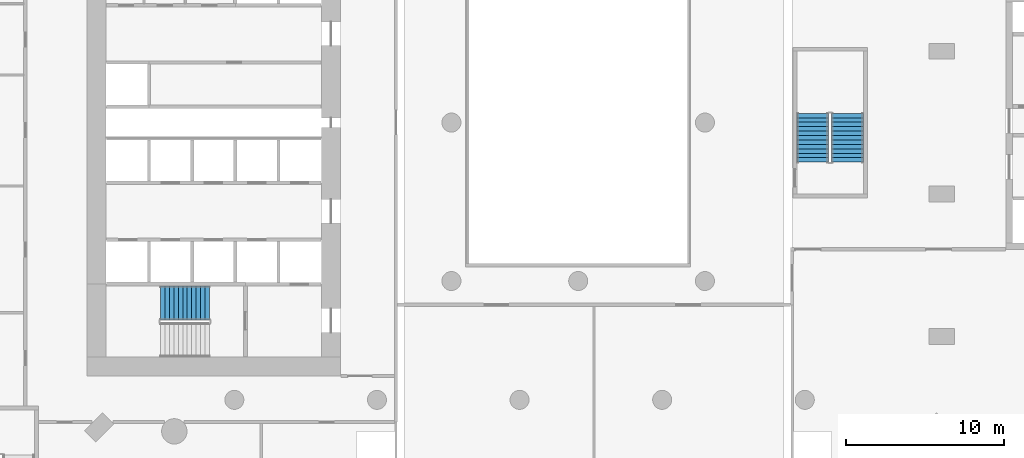
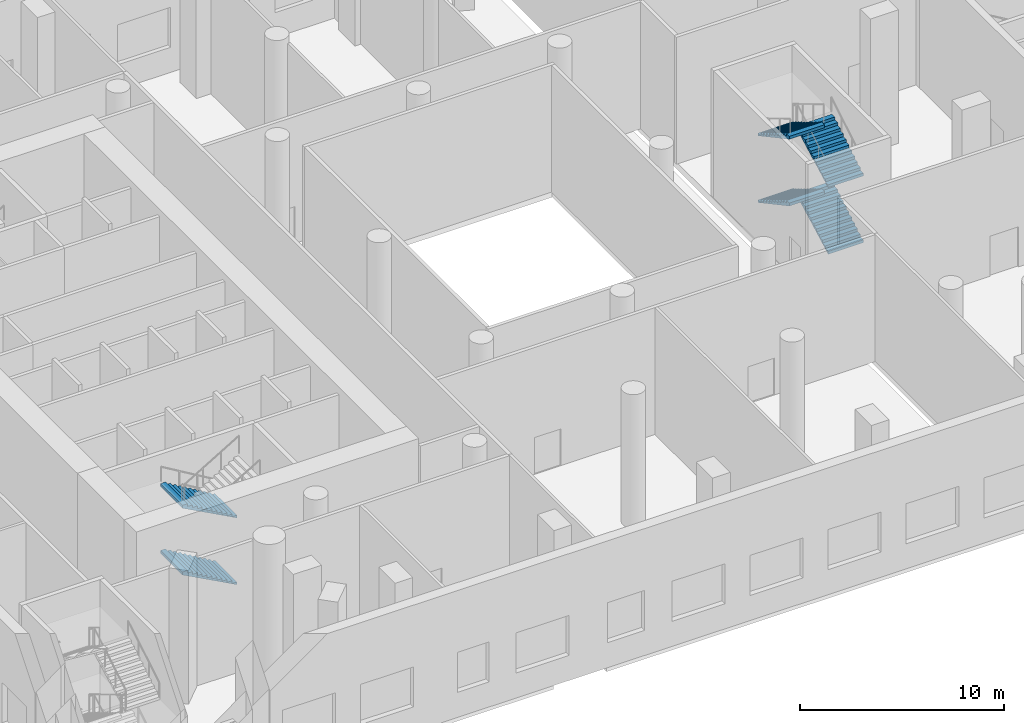
# One storey, part 11 of 18: 6 stair flights, 2 elements without a shape of their own.
"""IFC4 building model written with IfcOpenShell, lengths in metres."""

from ifc_helpers import new_model, si_unit, direction, frame, origin, place, context, subcontext, project, spatial, triangles, material, type_object, element, aggregate, save


model = new_model("IFC4")

# Units and contexts
model_context = context("Model", 3, precision=1e-05, world=origin(), true_north=direction((0.0, 1.0)))
body_context = subcontext(model_context, "Body", "Model", "MODEL_VIEW")
ifc_project = project(units=[si_unit("LENGTHUNIT", "METRE"), si_unit("AREAUNIT", "SQUARE_METRE"), si_unit("VOLUMEUNIT", "CUBIC_METRE"), si_unit("PLANEANGLEUNIT", "RADIAN"), si_unit("MASSUNIT", "GRAM", prefix="KILO")], contexts=[model_context])

# Site, building, storey
site_placement = place(None, origin())
site = spatial("IfcSite", under=ifc_project, at=site_placement, CompositionType="ELEMENT")
building_placement = place(site_placement, origin())
building = spatial("IfcBuilding", under=site, at=building_placement, Name="Cypress Arch Tower", CompositionType="ELEMENT")
storey_placement = place(building_placement, frame((0.0, 0.0, 36.0)))
storey = spatial("IfcBuildingStorey", under=building, at=storey_placement, Name="L04", CompositionType="ELEMENT", Elevation=36.0)

# Stair, stair flights
ifc_material_1 = material(Name="Concrete C40/50", Category="concrete")
stair_type_1 = type_object("IfcStairType", Name="Exit stair ES1667-200", PredefinedType="HALF_TURN_STAIR", material=ifc_material_1)
stair_1_placement = place(storey_placement, origin())
stair_1 = element("IfcStair", 1, at=stair_1_placement, inside=storey, type_object=stair_type_1, Name="L04 Exit stair C", PredefinedType="HALF_TURN_STAIR")
ifc_material_2 = material(Name="Concrete C40/50", Category="concrete")
stair_flight_type_1 = type_object("IfcStairFlightType", Name="Exit stair flight ES1667-200", PredefinedType="STRAIGHT", material=ifc_material_2)
stair_flight_1_placement = place(storey_placement, frame((18.0, -2.5, 0.0), z_axis=(0.0, 0.0, 1.0), x_axis=(0.0, 1.0, 0.0)))
stair_flight_1 = element("IfcStairFlight", 2, at=stair_flight_1_placement, type_object=stair_flight_type_1, Name="C flight 1", NumberOfRisers=12, NumberOfTreads=11, PredefinedType="STRAIGHT", RiserHeight=0.166666667, TreadLength=0.28, context=body_context, shape_type="Tessellation", body=[
    triangles([(0.0, -1.0, 0.0), (0.0, -1.0, 0.166748046875), (0.280029296875, -1.0, 0.166748046875), (0.280029296875, -1.0, 0.333251953125), (0.56005859375, -1.0, 0.333251953125), (0.56005859375, -1.0, 0.5), (0.840087890625, -1.0, 0.5), (0.840087890625, -1.0, 0.666748046875), (1.1201171875, -1.0, 0.666748046875), (1.1201171875, -1.0, 0.833251953125), (1.39990234375, -1.0, 0.833251953125), (1.39990234375, -1.0, 1.0), (1.679931640625, -1.0, 1.0), (1.679931640625, -1.0, 1.166748046875), (1.9599609375, -1.0, 1.166748046875), (1.9599609375, -1.0, 1.333251953125), (2.239990234375, -1.0, 1.333251953125), (2.239990234375, -1.0, 1.5), (2.52001953125, -1.0, 1.5), (2.52001953125, -1.0, 1.666748046875), (2.800048828125, -1.0, 1.666748046875), (2.800048828125, -1.0, 1.833251953125), (3.080078125, -1.0, 1.833251953125), (3.080078125, -1.0, 1.658935546875), (3.080078125, 1.0, 1.658935546875), (3.080078125, 1.0, 1.833251953125), (2.800048828125, 1.0, 1.833251953125), (2.800048828125, 1.0, 1.666748046875), (2.52001953125, 1.0, 1.666748046875), (2.52001953125, 1.0, 1.5), (2.239990234375, 1.0, 1.5), (2.239990234375, 1.0, 1.333251953125), (1.9599609375, 1.0, 1.333251953125), (1.9599609375, 1.0, 1.166748046875), (1.679931640625, 1.0, 1.166748046875), (1.679931640625, 1.0, 1.0), (1.39990234375, 1.0, 1.0), (1.39990234375, 1.0, 0.833251953125), (1.1201171875, 1.0, 0.833251953125), (1.1201171875, 1.0, 0.666748046875), (0.840087890625, 1.0, 0.666748046875), (0.840087890625, 1.0, 0.5), (0.56005859375, 1.0, 0.5), (0.56005859375, 1.0, 0.333251953125), (0.280029296875, 1.0, 0.333251953125), (0.280029296875, 1.0, 0.166748046875), (0.0, 1.0, 0.166748046875), (0.0, 1.0, 0.0), (3.080078125, 0.0, 1.833251953125), (3.080078125, 0.0, 1.658935546875), (2.800048828125, 0.0, 1.833251953125), (2.800048828125, 0.0, 1.666748046875), (2.52001953125, 0.0, 1.666748046875), (2.52001953125, 0.0, 1.5), (2.239990234375, 0.0, 1.5), (2.239990234375, 0.0, 1.333251953125), (1.9599609375, 0.0, 1.333251953125), (1.9599609375, 0.0, 1.166748046875), (1.679931640625, 0.0, 1.166748046875), (1.679931640625, 0.0, 1.0), (1.39990234375, 0.0, 1.0), (1.39990234375, 0.0, 0.833251953125), (1.1201171875, 0.0, 0.833251953125), (1.1201171875, 0.0, 0.666748046875), (0.840087890625, 0.0, 0.666748046875), (0.840087890625, 0.0, 0.5), (0.56005859375, 0.0, 0.5), (0.56005859375, 0.0, 0.333251953125), (0.280029296875, 0.0, 0.333251953125), (0.280029296875, 0.0, 0.166748046875), (0.0, 0.0, 0.166748046875), (0.0, 0.0, 0.0)], [[24, 23, 22], [21, 20, 19], [19, 18, 17], [15, 14, 13], [13, 12, 11], [9, 8, 7], [7, 6, 5], [3, 2, 1], [11, 10, 9], [17, 16, 15], [5, 4, 3], [24, 22, 21], [24, 21, 19], [24, 19, 17], [24, 17, 15], [24, 15, 13], [24, 13, 11], [24, 11, 9], [24, 9, 7], [24, 7, 5], [1, 24, 5], [5, 3, 1], [25, 27, 26], [28, 30, 29], [30, 32, 31], [34, 36, 35], [36, 38, 37], [40, 42, 41], [42, 44, 43], [46, 48, 47], [38, 40, 39], [32, 34, 33], [44, 46, 45], [25, 28, 27], [25, 30, 28], [25, 32, 30], [25, 34, 32], [25, 36, 34], [25, 38, 36], [25, 40, 38], [25, 42, 40], [25, 44, 42], [48, 44, 25], [44, 48, 46], [50, 49, 23], [50, 23, 24], [25, 26, 49], [25, 49, 50], [49, 51, 22], [49, 22, 23], [26, 27, 51], [26, 51, 49], [51, 52, 21], [51, 21, 22], [27, 28, 52], [27, 52, 51], [52, 53, 20], [52, 20, 21], [28, 29, 53], [28, 53, 52], [53, 54, 19], [53, 19, 20], [29, 30, 54], [29, 54, 53], [54, 55, 18], [54, 18, 19], [30, 31, 55], [30, 55, 54], [55, 56, 17], [55, 17, 18], [31, 32, 56], [31, 56, 55], [56, 57, 16], [56, 16, 17], [32, 33, 57], [32, 57, 56], [57, 58, 15], [57, 15, 16], [33, 34, 58], [33, 58, 57], [58, 59, 14], [58, 14, 15], [34, 35, 59], [34, 59, 58], [59, 60, 13], [59, 13, 14], [35, 36, 60], [35, 60, 59], [60, 61, 12], [60, 12, 13], [36, 37, 61], [36, 61, 60], [61, 62, 11], [61, 11, 12], [37, 38, 62], [37, 62, 61], [62, 63, 10], [62, 10, 11], [38, 39, 63], [38, 63, 62], [63, 64, 9], [63, 9, 10], [39, 40, 64], [39, 64, 63], [64, 65, 8], [64, 8, 9], [40, 41, 65], [40, 65, 64], [65, 66, 7], [65, 7, 8], [41, 42, 66], [41, 66, 65], [66, 67, 6], [66, 6, 7], [42, 43, 67], [42, 67, 66], [67, 68, 5], [67, 5, 6], [43, 44, 68], [43, 68, 67], [68, 69, 4], [68, 4, 5], [44, 45, 69], [44, 69, 68], [69, 70, 3], [69, 3, 4], [45, 46, 70], [45, 70, 69], [70, 71, 2], [70, 2, 3], [46, 47, 71], [46, 71, 70], [71, 72, 1], [71, 1, 2], [47, 48, 72], [47, 72, 71], [72, 50, 24], [72, 24, 1], [48, 25, 50], [48, 50, 72]], closed=True),
])
stair_flight_2_placement = place(storey_placement, frame((15.800048828125, 0.580078125, 2.0), z_axis=(0.0, 0.0, 1.0), x_axis=(0.0, -1.0, 0.0)))
stair_flight_2 = element("IfcStairFlight", 3, at=stair_flight_2_placement, type_object=stair_flight_type_1, Name="C flight 2", NumberOfRisers=12, NumberOfTreads=11, PredefinedType="STRAIGHT", RiserHeight=0.166666667, TreadLength=0.28, context=body_context, shape_type="Tessellation", body=[
    triangles([(0.0, -1.0, 0.0), (0.0, -1.0, 0.166748046875), (0.280029296875, -1.0, 0.166748046875), (0.280029296875, -1.0, 0.333251953125), (0.56005859375, -1.0, 0.333251953125), (0.56005859375, -1.0, 0.5), (0.840087890625, -1.0, 0.5), (0.840087890625, -1.0, 0.666748046875), (1.1201171875, -1.0, 0.666748046875), (1.1201171875, -1.0, 0.833251953125), (1.39990234375, -1.0, 0.833251953125), (1.39990234375, -1.0, 1.0), (1.679931640625, -1.0, 1.0), (1.679931640625, -1.0, 1.166748046875), (1.9599609375, -1.0, 1.166748046875), (1.9599609375, -1.0, 1.333251953125), (2.239990234375, -1.0, 1.333251953125), (2.239990234375, -1.0, 1.5), (2.52001953125, -1.0, 1.5), (2.52001953125, -1.0, 1.666748046875), (2.800048828125, -1.0, 1.666748046875), (2.800048828125, -1.0, 1.833251953125), (3.080078125, -1.0, 1.833251953125), (3.080078125, -1.0, 1.658935546875), (3.080078125, 1.0, 1.658935546875), (3.080078125, 1.0, 1.833251953125), (2.800048828125, 1.0, 1.833251953125), (2.800048828125, 1.0, 1.666748046875), (2.52001953125, 1.0, 1.666748046875), (2.52001953125, 1.0, 1.5), (2.239990234375, 1.0, 1.5), (2.239990234375, 1.0, 1.333251953125), (1.9599609375, 1.0, 1.333251953125), (1.9599609375, 1.0, 1.166748046875), (1.679931640625, 1.0, 1.166748046875), (1.679931640625, 1.0, 1.0), (1.39990234375, 1.0, 1.0), (1.39990234375, 1.0, 0.833251953125), (1.1201171875, 1.0, 0.833251953125), (1.1201171875, 1.0, 0.666748046875), (0.840087890625, 1.0, 0.666748046875), (0.840087890625, 1.0, 0.5), (0.56005859375, 1.0, 0.5), (0.56005859375, 1.0, 0.333251953125), (0.280029296875, 1.0, 0.333251953125), (0.280029296875, 1.0, 0.166748046875), (0.0, 1.0, 0.166748046875), (0.0, 1.0, 0.0), (3.080078125, 0.0, 1.833251953125), (3.080078125, 0.0, 1.658935546875), (2.800048828125, 0.0, 1.833251953125), (2.800048828125, 0.0, 1.666748046875), (2.52001953125, 0.0, 1.666748046875), (2.52001953125, 0.0, 1.5), (2.239990234375, 0.0, 1.5), (2.239990234375, 0.0, 1.333251953125), (1.9599609375, 0.0, 1.333251953125), (1.9599609375, 0.0, 1.166748046875), (1.679931640625, 0.0, 1.166748046875), (1.679931640625, 0.0, 1.0), (1.39990234375, 0.0, 1.0), (1.39990234375, 0.0, 0.833251953125), (1.1201171875, 0.0, 0.833251953125), (1.1201171875, 0.0, 0.666748046875), (0.840087890625, 0.0, 0.666748046875), (0.840087890625, 0.0, 0.5), (0.56005859375, 0.0, 0.5), (0.56005859375, 0.0, 0.333251953125), (0.280029296875, 0.0, 0.333251953125), (0.280029296875, 0.0, 0.166748046875), (0.0, 0.0, 0.166748046875), (0.0, 0.0, 0.0)], [[24, 23, 22], [21, 20, 19], [19, 18, 17], [15, 14, 13], [13, 12, 11], [9, 8, 7], [7, 6, 5], [3, 2, 1], [11, 10, 9], [17, 16, 15], [5, 4, 3], [24, 22, 21], [24, 21, 19], [24, 19, 17], [24, 17, 15], [24, 15, 13], [24, 13, 11], [24, 11, 9], [24, 9, 7], [24, 7, 5], [1, 24, 5], [5, 3, 1], [25, 27, 26], [28, 30, 29], [30, 32, 31], [34, 36, 35], [36, 38, 37], [40, 42, 41], [42, 44, 43], [46, 48, 47], [38, 40, 39], [32, 34, 33], [44, 46, 45], [25, 28, 27], [25, 30, 28], [25, 32, 30], [25, 34, 32], [25, 36, 34], [25, 38, 36], [25, 40, 38], [25, 42, 40], [25, 44, 42], [48, 44, 25], [44, 48, 46], [50, 49, 23], [50, 23, 24], [25, 26, 49], [25, 49, 50], [49, 51, 22], [49, 22, 23], [26, 27, 51], [26, 51, 49], [51, 52, 21], [51, 21, 22], [27, 28, 52], [27, 52, 51], [52, 53, 20], [52, 20, 21], [28, 29, 53], [28, 53, 52], [53, 54, 19], [53, 19, 20], [29, 30, 54], [29, 54, 53], [54, 55, 18], [54, 18, 19], [30, 31, 55], [30, 55, 54], [55, 56, 17], [55, 17, 18], [31, 32, 56], [31, 56, 55], [56, 57, 16], [56, 16, 17], [32, 33, 57], [32, 57, 56], [57, 58, 15], [57, 15, 16], [33, 34, 58], [33, 58, 57], [58, 59, 14], [58, 14, 15], [34, 35, 59], [34, 59, 58], [59, 60, 13], [59, 13, 14], [35, 36, 60], [35, 60, 59], [60, 61, 12], [60, 12, 13], [36, 37, 61], [36, 61, 60], [61, 62, 11], [61, 11, 12], [37, 38, 62], [37, 62, 61], [62, 63, 10], [62, 10, 11], [38, 39, 63], [38, 63, 62], [63, 64, 9], [63, 9, 10], [39, 40, 64], [39, 64, 63], [64, 65, 8], [64, 8, 9], [40, 41, 65], [40, 65, 64], [65, 66, 7], [65, 7, 8], [41, 42, 66], [41, 66, 65], [66, 67, 6], [66, 6, 7], [42, 43, 67], [42, 67, 66], [67, 68, 5], [67, 5, 6], [43, 44, 68], [43, 68, 67], [68, 69, 4], [68, 4, 5], [44, 45, 69], [44, 69, 68], [69, 70, 3], [69, 3, 4], [45, 46, 70], [45, 70, 69], [70, 71, 2], [70, 2, 3], [46, 47, 71], [46, 71, 70], [71, 72, 1], [71, 1, 2], [47, 48, 72], [47, 72, 71], [72, 50, 24], [72, 24, 1], [48, 25, 50], [48, 50, 72]], closed=True),
])
stair_flight_3_placement = place(storey_placement, frame((18.0, -2.5, 4.0), z_axis=(0.0, 0.0, 1.0), x_axis=(0.0, 1.0, 0.0)))
stair_flight_3 = element("IfcStairFlight", 4, at=stair_flight_3_placement, type_object=stair_flight_type_1, Name="C flight 3", NumberOfRisers=12, NumberOfTreads=11, PredefinedType="STRAIGHT", RiserHeight=0.166666667, TreadLength=0.28, context=body_context, shape_type="Tessellation", body=[
    triangles([(0.0, -1.0, 0.0), (0.0, -1.0, 0.166748046875), (0.280029296875, -1.0, 0.166748046875), (0.280029296875, -1.0, 0.333251953125), (0.56005859375, -1.0, 0.333251953125), (0.56005859375, -1.0, 0.5), (0.840087890625, -1.0, 0.5), (0.840087890625, -1.0, 0.666748046875), (1.1201171875, -1.0, 0.666748046875), (1.1201171875, -1.0, 0.833251953125), (1.39990234375, -1.0, 0.833251953125), (1.39990234375, -1.0, 1.0), (1.679931640625, -1.0, 1.0), (1.679931640625, -1.0, 1.166748046875), (1.9599609375, -1.0, 1.166748046875), (1.9599609375, -1.0, 1.333251953125), (2.239990234375, -1.0, 1.333251953125), (2.239990234375, -1.0, 1.5), (2.52001953125, -1.0, 1.5), (2.52001953125, -1.0, 1.666748046875), (2.800048828125, -1.0, 1.666748046875), (2.800048828125, -1.0, 1.833251953125), (3.080078125, -1.0, 1.833251953125), (3.080078125, -1.0, 1.658935546875), (3.080078125, 1.0, 1.658935546875), (3.080078125, 1.0, 1.833251953125), (2.800048828125, 1.0, 1.833251953125), (2.800048828125, 1.0, 1.666748046875), (2.52001953125, 1.0, 1.666748046875), (2.52001953125, 1.0, 1.5), (2.239990234375, 1.0, 1.5), (2.239990234375, 1.0, 1.333251953125), (1.9599609375, 1.0, 1.333251953125), (1.9599609375, 1.0, 1.166748046875), (1.679931640625, 1.0, 1.166748046875), (1.679931640625, 1.0, 1.0), (1.39990234375, 1.0, 1.0), (1.39990234375, 1.0, 0.833251953125), (1.1201171875, 1.0, 0.833251953125), (1.1201171875, 1.0, 0.666748046875), (0.840087890625, 1.0, 0.666748046875), (0.840087890625, 1.0, 0.5), (0.56005859375, 1.0, 0.5), (0.56005859375, 1.0, 0.333251953125), (0.280029296875, 1.0, 0.333251953125), (0.280029296875, 1.0, 0.166748046875), (0.0, 1.0, 0.166748046875), (0.0, 1.0, 0.0), (3.080078125, 0.0, 1.833251953125), (3.080078125, 0.0, 1.658935546875), (2.800048828125, 0.0, 1.833251953125), (2.800048828125, 0.0, 1.666748046875), (2.52001953125, 0.0, 1.666748046875), (2.52001953125, 0.0, 1.5), (2.239990234375, 0.0, 1.5), (2.239990234375, 0.0, 1.333251953125), (1.9599609375, 0.0, 1.333251953125), (1.9599609375, 0.0, 1.166748046875), (1.679931640625, 0.0, 1.166748046875), (1.679931640625, 0.0, 1.0), (1.39990234375, 0.0, 1.0), (1.39990234375, 0.0, 0.833251953125), (1.1201171875, 0.0, 0.833251953125), (1.1201171875, 0.0, 0.666748046875), (0.840087890625, 0.0, 0.666748046875), (0.840087890625, 0.0, 0.5), (0.56005859375, 0.0, 0.5), (0.56005859375, 0.0, 0.333251953125), (0.280029296875, 0.0, 0.333251953125), (0.280029296875, 0.0, 0.166748046875), (0.0, 0.0, 0.166748046875), (0.0, 0.0, 0.0)], [[24, 23, 22], [21, 20, 19], [19, 18, 17], [15, 14, 13], [13, 12, 11], [9, 8, 7], [7, 6, 5], [3, 2, 1], [11, 10, 9], [17, 16, 15], [5, 4, 3], [24, 22, 21], [24, 21, 19], [24, 19, 17], [24, 17, 15], [24, 15, 13], [24, 13, 11], [24, 11, 9], [24, 9, 7], [24, 7, 5], [1, 24, 5], [5, 3, 1], [25, 27, 26], [28, 30, 29], [30, 32, 31], [34, 36, 35], [36, 38, 37], [40, 42, 41], [42, 44, 43], [46, 48, 47], [38, 40, 39], [32, 34, 33], [44, 46, 45], [25, 28, 27], [25, 30, 28], [25, 32, 30], [25, 34, 32], [25, 36, 34], [25, 38, 36], [25, 40, 38], [25, 42, 40], [25, 44, 42], [48, 44, 25], [44, 48, 46], [50, 49, 23], [50, 23, 24], [25, 26, 49], [25, 49, 50], [49, 51, 22], [49, 22, 23], [26, 27, 51], [26, 51, 49], [51, 52, 21], [51, 21, 22], [27, 28, 52], [27, 52, 51], [52, 53, 20], [52, 20, 21], [28, 29, 53], [28, 53, 52], [53, 54, 19], [53, 19, 20], [29, 30, 54], [29, 54, 53], [54, 55, 18], [54, 18, 19], [30, 31, 55], [30, 55, 54], [55, 56, 17], [55, 17, 18], [31, 32, 56], [31, 56, 55], [56, 57, 16], [56, 16, 17], [32, 33, 57], [32, 57, 56], [57, 58, 15], [57, 15, 16], [33, 34, 58], [33, 58, 57], [58, 59, 14], [58, 14, 15], [34, 35, 59], [34, 59, 58], [59, 60, 13], [59, 13, 14], [35, 36, 60], [35, 60, 59], [60, 61, 12], [60, 12, 13], [36, 37, 61], [36, 61, 60], [61, 62, 11], [61, 11, 12], [37, 38, 62], [37, 62, 61], [62, 63, 10], [62, 10, 11], [38, 39, 63], [38, 63, 62], [63, 64, 9], [63, 9, 10], [39, 40, 64], [39, 64, 63], [64, 65, 8], [64, 8, 9], [40, 41, 65], [40, 65, 64], [65, 66, 7], [65, 7, 8], [41, 42, 66], [41, 66, 65], [66, 67, 6], [66, 6, 7], [42, 43, 67], [42, 67, 66], [67, 68, 5], [67, 5, 6], [43, 44, 68], [43, 68, 67], [68, 69, 4], [68, 4, 5], [44, 45, 69], [44, 69, 68], [69, 70, 3], [69, 3, 4], [45, 46, 70], [45, 70, 69], [70, 71, 2], [70, 2, 3], [46, 47, 71], [46, 71, 70], [71, 72, 1], [71, 1, 2], [47, 48, 72], [47, 72, 71], [72, 50, 24], [72, 24, 1], [48, 25, 50], [48, 50, 72]], closed=True),
])
stair_flight_4_placement = place(storey_placement, frame((15.800048828125, 0.580078125, 6.0), z_axis=(0.0, 0.0, 1.0), x_axis=(0.0, -1.0, 0.0)))
stair_flight_4 = element("IfcStairFlight", 5, at=stair_flight_4_placement, type_object=stair_flight_type_1, Name="C flight 4", NumberOfRisers=12, NumberOfTreads=11, PredefinedType="STRAIGHT", RiserHeight=0.166666667, TreadLength=0.28, context=body_context, shape_type="Tessellation", body=[
    triangles([(0.0, -1.0, 0.0), (0.0, -1.0, 0.166748046875), (0.280029296875, -1.0, 0.166748046875), (0.280029296875, -1.0, 0.333251953125), (0.56005859375, -1.0, 0.333251953125), (0.56005859375, -1.0, 0.5), (0.840087890625, -1.0, 0.5), (0.840087890625, -1.0, 0.666748046875), (1.1201171875, -1.0, 0.666748046875), (1.1201171875, -1.0, 0.833251953125), (1.39990234375, -1.0, 0.833251953125), (1.39990234375, -1.0, 1.0), (1.679931640625, -1.0, 1.0), (1.679931640625, -1.0, 1.166748046875), (1.9599609375, -1.0, 1.166748046875), (1.9599609375, -1.0, 1.333251953125), (2.239990234375, -1.0, 1.333251953125), (2.239990234375, -1.0, 1.5), (2.52001953125, -1.0, 1.5), (2.52001953125, -1.0, 1.666748046875), (2.800048828125, -1.0, 1.666748046875), (2.800048828125, -1.0, 1.833251953125), (3.080078125, -1.0, 1.833251953125), (3.080078125, -1.0, 1.658935546875), (3.080078125, 1.0, 1.658935546875), (3.080078125, 1.0, 1.833251953125), (2.800048828125, 1.0, 1.833251953125), (2.800048828125, 1.0, 1.666748046875), (2.52001953125, 1.0, 1.666748046875), (2.52001953125, 1.0, 1.5), (2.239990234375, 1.0, 1.5), (2.239990234375, 1.0, 1.333251953125), (1.9599609375, 1.0, 1.333251953125), (1.9599609375, 1.0, 1.166748046875), (1.679931640625, 1.0, 1.166748046875), (1.679931640625, 1.0, 1.0), (1.39990234375, 1.0, 1.0), (1.39990234375, 1.0, 0.833251953125), (1.1201171875, 1.0, 0.833251953125), (1.1201171875, 1.0, 0.666748046875), (0.840087890625, 1.0, 0.666748046875), (0.840087890625, 1.0, 0.5), (0.56005859375, 1.0, 0.5), (0.56005859375, 1.0, 0.333251953125), (0.280029296875, 1.0, 0.333251953125), (0.280029296875, 1.0, 0.166748046875), (0.0, 1.0, 0.166748046875), (0.0, 1.0, 0.0), (3.080078125, 0.0, 1.833251953125), (3.080078125, 0.0, 1.658935546875), (2.800048828125, 0.0, 1.833251953125), (2.800048828125, 0.0, 1.666748046875), (2.52001953125, 0.0, 1.666748046875), (2.52001953125, 0.0, 1.5), (2.239990234375, 0.0, 1.5), (2.239990234375, 0.0, 1.333251953125), (1.9599609375, 0.0, 1.333251953125), (1.9599609375, 0.0, 1.166748046875), (1.679931640625, 0.0, 1.166748046875), (1.679931640625, 0.0, 1.0), (1.39990234375, 0.0, 1.0), (1.39990234375, 0.0, 0.833251953125), (1.1201171875, 0.0, 0.833251953125), (1.1201171875, 0.0, 0.666748046875), (0.840087890625, 0.0, 0.666748046875), (0.840087890625, 0.0, 0.5), (0.56005859375, 0.0, 0.5), (0.56005859375, 0.0, 0.333251953125), (0.280029296875, 0.0, 0.333251953125), (0.280029296875, 0.0, 0.166748046875), (0.0, 0.0, 0.166748046875), (0.0, 0.0, 0.0)], [[24, 23, 22], [21, 20, 19], [19, 18, 17], [15, 14, 13], [13, 12, 11], [9, 8, 7], [7, 6, 5], [3, 2, 1], [11, 10, 9], [17, 16, 15], [5, 4, 3], [24, 22, 21], [24, 21, 19], [24, 19, 17], [24, 17, 15], [24, 15, 13], [24, 13, 11], [24, 11, 9], [24, 9, 7], [24, 7, 5], [1, 24, 5], [5, 3, 1], [25, 27, 26], [28, 30, 29], [30, 32, 31], [34, 36, 35], [36, 38, 37], [40, 42, 41], [42, 44, 43], [46, 48, 47], [38, 40, 39], [32, 34, 33], [44, 46, 45], [25, 28, 27], [25, 30, 28], [25, 32, 30], [25, 34, 32], [25, 36, 34], [25, 38, 36], [25, 40, 38], [25, 42, 40], [25, 44, 42], [48, 44, 25], [44, 48, 46], [50, 49, 23], [50, 23, 24], [25, 26, 49], [25, 49, 50], [49, 51, 22], [49, 22, 23], [26, 27, 51], [26, 51, 49], [51, 52, 21], [51, 21, 22], [27, 28, 52], [27, 52, 51], [52, 53, 20], [52, 20, 21], [28, 29, 53], [28, 53, 52], [53, 54, 19], [53, 19, 20], [29, 30, 54], [29, 54, 53], [54, 55, 18], [54, 18, 19], [30, 31, 55], [30, 55, 54], [55, 56, 17], [55, 17, 18], [31, 32, 56], [31, 56, 55], [56, 57, 16], [56, 16, 17], [32, 33, 57], [32, 57, 56], [57, 58, 15], [57, 15, 16], [33, 34, 58], [33, 58, 57], [58, 59, 14], [58, 14, 15], [34, 35, 59], [34, 59, 58], [59, 60, 13], [59, 13, 14], [35, 36, 60], [35, 60, 59], [60, 61, 12], [60, 12, 13], [36, 37, 61], [36, 61, 60], [61, 62, 11], [61, 11, 12], [37, 38, 62], [37, 62, 61], [62, 63, 10], [62, 10, 11], [38, 39, 63], [38, 63, 62], [63, 64, 9], [63, 9, 10], [39, 40, 64], [39, 64, 63], [64, 65, 8], [64, 8, 9], [40, 41, 65], [40, 65, 64], [65, 66, 7], [65, 7, 8], [41, 42, 66], [41, 66, 65], [66, 67, 6], [66, 6, 7], [42, 43, 67], [42, 67, 66], [67, 68, 5], [67, 5, 6], [43, 44, 68], [43, 68, 67], [68, 69, 4], [68, 4, 5], [44, 45, 69], [44, 69, 68], [69, 70, 3], [69, 3, 4], [45, 46, 70], [45, 70, 69], [70, 71, 2], [70, 2, 3], [46, 47, 71], [46, 71, 70], [71, 72, 1], [71, 1, 2], [47, 48, 72], [47, 72, 71], [72, 50, 24], [72, 24, 1], [48, 25, 50], [48, 50, 72]], closed=True),
])
aggregate(stair_1, [stair_flight_1, stair_flight_2, stair_flight_3, stair_flight_4])

ifc_material_3 = material(Name="Concrete C40/50", Category="concrete")
stair_type_2 = type_object("IfcStairType", Name="Exit stair ES1667-215", PredefinedType="HALF_TURN_STAIR", material=ifc_material_3)
stair_2_placement = place(storey_placement, origin())
stair_2 = element("IfcStair", 6, at=stair_2_placement, inside=storey, type_object=stair_type_2, Name="L04 Exit stair A", PredefinedType="HALF_TURN_STAIR")
ifc_material_4 = material(Name="Concrete C40/50", Category="concrete")
stair_flight_type_2 = type_object("IfcStairFlightType", Name="Exit stair flight ES1667-215", PredefinedType="STRAIGHT", material=ifc_material_4)
stair_flight_5_placement = place(storey_placement, frame((-22.27490234375, -11.39990234375, 0.0), z_axis=(0.0, 0.0, 1.0), x_axis=(-1.0, 0.0, 0.0)))
stair_flight_5 = element("IfcStairFlight", 7, at=stair_flight_5_placement, type_object=stair_flight_type_2, Name="A flight 1", NumberOfRisers=12, NumberOfTreads=11, PredefinedType="STRAIGHT", RiserHeight=0.166666667, TreadLength=0.28, context=body_context, shape_type="Tessellation", body=[
    triangles([(0.0, -1.074951171875, 0.0), (0.000244140625, -1.074951171875, 0.0185546875), (0.000244140625, -1.074951171875, 0.037109375), (0.00048828125, -1.074951171875, 0.0556640625), (0.00048828125, -1.074951171875, 0.07421875), (0.00048828125, -1.074951171875, 0.092529296875), (0.00048828125, -1.074951171875, 0.111083984375), (0.000244140625, -1.074951171875, 0.129638671875), (0.000244140625, -1.074951171875, 0.148193359375), (0.0, -1.074951171875, 0.166748046875), (0.280029296875, -1.074951171875, 0.166748046875), (0.280029296875, -1.074951171875, 0.333251953125), (0.56005859375, -1.074951171875, 0.333251953125), (0.56005859375, -1.074951171875, 0.5), (0.840087890625, -1.074951171875, 0.5), (0.840087890625, -1.074951171875, 0.666748046875), (1.1201171875, -1.074951171875, 0.666748046875), (1.1201171875, -1.074951171875, 0.833251953125), (1.39990234375, -1.074951171875, 0.833251953125), (1.39990234375, -1.074951171875, 1.0), (1.679931640625, -1.074951171875, 1.0), (1.679931640625, -1.074951171875, 1.166748046875), (1.9599609375, -1.074951171875, 1.166748046875), (1.9599609375, -1.074951171875, 1.333251953125), (2.239990234375, -1.074951171875, 1.333251953125), (2.239990234375, -1.074951171875, 1.5), (2.52001953125, -1.074951171875, 1.5), (2.52001953125, -1.074951171875, 1.666748046875), (2.800048828125, -1.074951171875, 1.666748046875), (2.800048828125, -1.074951171875, 1.833251953125), (3.080078125, -1.074951171875, 1.833251953125), (3.079833984375, -1.074951171875, 1.81396484375), (3.079833984375, -1.074951171875, 1.79443359375), (3.07958984375, -1.074951171875, 1.775146484375), (3.07958984375, -1.074951171875, 1.755859375), (3.07958984375, -1.074951171875, 1.736328125), (3.07958984375, -1.074951171875, 1.717041015625), (3.079833984375, -1.074951171875, 1.69775390625), (3.079833984375, -1.074951171875, 1.67822265625), (3.080078125, -1.074951171875, 1.658935546875), (3.080078125, 1.074951171875, 1.658935546875), (3.079833984375, 1.074951171875, 1.67822265625), (3.079833984375, 1.074951171875, 1.69775390625), (3.07958984375, 1.074951171875, 1.717041015625), (3.07958984375, 1.074951171875, 1.736328125), (3.07958984375, 1.074951171875, 1.755859375), (3.07958984375, 1.074951171875, 1.775146484375), (3.079833984375, 1.074951171875, 1.79443359375), (3.079833984375, 1.074951171875, 1.81396484375), (3.080078125, 1.074951171875, 1.833251953125), (2.800048828125, 1.074951171875, 1.833251953125), (2.800048828125, 1.074951171875, 1.666748046875), (2.52001953125, 1.074951171875, 1.666748046875), (2.52001953125, 1.074951171875, 1.5), (2.239990234375, 1.074951171875, 1.5), (2.239990234375, 1.074951171875, 1.333251953125), (1.9599609375, 1.074951171875, 1.333251953125), (1.9599609375, 1.074951171875, 1.166748046875), (1.679931640625, 1.074951171875, 1.166748046875), (1.679931640625, 1.074951171875, 1.0), (1.39990234375, 1.074951171875, 1.0), (1.39990234375, 1.074951171875, 0.833251953125), (1.1201171875, 1.074951171875, 0.833251953125), (1.1201171875, 1.074951171875, 0.666748046875), (0.840087890625, 1.074951171875, 0.666748046875), (0.840087890625, 1.074951171875, 0.5), (0.56005859375, 1.074951171875, 0.5), (0.56005859375, 1.074951171875, 0.333251953125), (0.280029296875, 1.074951171875, 0.333251953125), (0.280029296875, 1.074951171875, 0.166748046875), (0.0, 1.074951171875, 0.166748046875), (0.000244140625, 1.074951171875, 0.148193359375), (0.000244140625, 1.074951171875, 0.129638671875), (0.00048828125, 1.074951171875, 0.111083984375), (0.00048828125, 1.074951171875, 0.092529296875), (0.00048828125, 1.074951171875, 0.07421875), (0.00048828125, 1.074951171875, 0.0556640625), (0.000244140625, 1.074951171875, 0.037109375), (0.000244140625, 1.074951171875, 0.0185546875), (0.0, 1.074951171875, 0.0)], [[40, 39, 30], [39, 38, 30], [38, 37, 30], [37, 36, 30], [36, 35, 30], [35, 34, 30], [34, 33, 30], [33, 32, 30], [32, 31, 30], [29, 28, 27], [27, 26, 25], [23, 22, 21], [21, 20, 19], [17, 16, 15], [15, 14, 13], [10, 9, 11], [9, 8, 11], [8, 7, 11], [7, 6, 11], [6, 5, 11], [5, 4, 11], [4, 3, 11], [3, 2, 11], [2, 1, 11], [19, 18, 17], [25, 24, 23], [13, 12, 11], [40, 30, 29], [40, 29, 27], [40, 27, 25], [40, 25, 23], [40, 23, 21], [40, 21, 19], [40, 19, 17], [40, 17, 15], [40, 15, 13], [1, 40, 13], [13, 11, 1], [41, 51, 42], [42, 51, 43], [43, 51, 44], [44, 51, 45], [45, 51, 46], [46, 51, 47], [47, 51, 48], [48, 51, 49], [49, 51, 50], [52, 54, 53], [54, 56, 55], [58, 60, 59], [60, 62, 61], [64, 66, 65], [66, 68, 67], [71, 70, 72], [72, 70, 73], [73, 70, 74], [74, 70, 75], [75, 70, 76], [76, 70, 77], [77, 70, 78], [78, 70, 79], [79, 70, 80], [62, 64, 63], [56, 58, 57], [68, 70, 69], [41, 52, 51], [41, 54, 52], [41, 56, 54], [41, 58, 56], [41, 60, 58], [41, 62, 60], [41, 64, 62], [41, 66, 64], [41, 68, 66], [80, 68, 41], [68, 80, 70], [41, 42, 39], [41, 39, 40], [42, 43, 38], [42, 38, 39], [43, 44, 37], [43, 37, 38], [44, 45, 36], [44, 36, 37], [45, 46, 35], [45, 35, 36], [46, 47, 34], [46, 34, 35], [47, 48, 33], [47, 33, 34], [48, 49, 32], [48, 32, 33], [49, 50, 31], [49, 31, 32], [50, 51, 30], [50, 30, 31], [51, 52, 29], [51, 29, 30], [52, 53, 28], [52, 28, 29], [53, 54, 27], [53, 27, 28], [54, 55, 26], [54, 26, 27], [55, 56, 25], [55, 25, 26], [56, 57, 24], [56, 24, 25], [57, 58, 23], [57, 23, 24], [58, 59, 22], [58, 22, 23], [59, 60, 21], [59, 21, 22], [60, 61, 20], [60, 20, 21], [61, 62, 19], [61, 19, 20], [62, 63, 18], [62, 18, 19], [63, 64, 17], [63, 17, 18], [64, 65, 16], [64, 16, 17], [65, 66, 15], [65, 15, 16], [66, 67, 14], [66, 14, 15], [67, 68, 13], [67, 13, 14], [68, 69, 12], [68, 12, 13], [69, 70, 11], [69, 11, 12], [70, 71, 10], [70, 10, 11], [71, 72, 9], [71, 9, 10], [72, 73, 8], [72, 8, 9], [73, 74, 7], [73, 7, 8], [74, 75, 6], [74, 6, 7], [75, 76, 5], [75, 5, 6], [76, 77, 4], [76, 4, 5], [77, 78, 3], [77, 3, 4], [78, 79, 2], [78, 2, 3], [79, 80, 1], [79, 1, 2], [80, 41, 40], [80, 40, 1]], closed=True),
])
stair_flight_6_placement = place(storey_placement, frame((-22.27490234375, -11.39990234375, 4.0), z_axis=(0.0, 0.0, 1.0), x_axis=(-1.0, 0.0, 0.0)))
stair_flight_6 = element("IfcStairFlight", 8, at=stair_flight_6_placement, type_object=stair_flight_type_2, Name="A flight 3", NumberOfRisers=12, NumberOfTreads=11, PredefinedType="STRAIGHT", RiserHeight=0.166666667, TreadLength=0.28, context=body_context, shape_type="Tessellation", body=[
    triangles([(0.0, -1.074951171875, 0.0), (0.000244140625, -1.074951171875, 0.0185546875), (0.000244140625, -1.074951171875, 0.037109375), (0.00048828125, -1.074951171875, 0.0556640625), (0.00048828125, -1.074951171875, 0.07421875), (0.00048828125, -1.074951171875, 0.092529296875), (0.00048828125, -1.074951171875, 0.111083984375), (0.000244140625, -1.074951171875, 0.129638671875), (0.000244140625, -1.074951171875, 0.148193359375), (0.0, -1.074951171875, 0.166748046875), (0.280029296875, -1.074951171875, 0.166748046875), (0.280029296875, -1.074951171875, 0.333251953125), (0.56005859375, -1.074951171875, 0.333251953125), (0.56005859375, -1.074951171875, 0.5), (0.840087890625, -1.074951171875, 0.5), (0.840087890625, -1.074951171875, 0.666748046875), (1.1201171875, -1.074951171875, 0.666748046875), (1.1201171875, -1.074951171875, 0.833251953125), (1.39990234375, -1.074951171875, 0.833251953125), (1.39990234375, -1.074951171875, 1.0), (1.679931640625, -1.074951171875, 1.0), (1.679931640625, -1.074951171875, 1.166748046875), (1.9599609375, -1.074951171875, 1.166748046875), (1.9599609375, -1.074951171875, 1.333251953125), (2.239990234375, -1.074951171875, 1.333251953125), (2.239990234375, -1.074951171875, 1.5), (2.52001953125, -1.074951171875, 1.5), (2.52001953125, -1.074951171875, 1.666748046875), (2.800048828125, -1.074951171875, 1.666748046875), (2.800048828125, -1.074951171875, 1.833251953125), (3.080078125, -1.074951171875, 1.833251953125), (3.079833984375, -1.074951171875, 1.81396484375), (3.079833984375, -1.074951171875, 1.79443359375), (3.07958984375, -1.074951171875, 1.775146484375), (3.07958984375, -1.074951171875, 1.755859375), (3.07958984375, -1.074951171875, 1.736328125), (3.07958984375, -1.074951171875, 1.717041015625), (3.079833984375, -1.074951171875, 1.69775390625), (3.079833984375, -1.074951171875, 1.67822265625), (3.080078125, -1.074951171875, 1.658935546875), (3.080078125, 1.074951171875, 1.658935546875), (3.079833984375, 1.074951171875, 1.67822265625), (3.079833984375, 1.074951171875, 1.69775390625), (3.07958984375, 1.074951171875, 1.717041015625), (3.07958984375, 1.074951171875, 1.736328125), (3.07958984375, 1.074951171875, 1.755859375), (3.07958984375, 1.074951171875, 1.775146484375), (3.079833984375, 1.074951171875, 1.79443359375), (3.079833984375, 1.074951171875, 1.81396484375), (3.080078125, 1.074951171875, 1.833251953125), (2.800048828125, 1.074951171875, 1.833251953125), (2.800048828125, 1.074951171875, 1.666748046875), (2.52001953125, 1.074951171875, 1.666748046875), (2.52001953125, 1.074951171875, 1.5), (2.239990234375, 1.074951171875, 1.5), (2.239990234375, 1.074951171875, 1.333251953125), (1.9599609375, 1.074951171875, 1.333251953125), (1.9599609375, 1.074951171875, 1.166748046875), (1.679931640625, 1.074951171875, 1.166748046875), (1.679931640625, 1.074951171875, 1.0), (1.39990234375, 1.074951171875, 1.0), (1.39990234375, 1.074951171875, 0.833251953125), (1.1201171875, 1.074951171875, 0.833251953125), (1.1201171875, 1.074951171875, 0.666748046875), (0.840087890625, 1.074951171875, 0.666748046875), (0.840087890625, 1.074951171875, 0.5), (0.56005859375, 1.074951171875, 0.5), (0.56005859375, 1.074951171875, 0.333251953125), (0.280029296875, 1.074951171875, 0.333251953125), (0.280029296875, 1.074951171875, 0.166748046875), (0.0, 1.074951171875, 0.166748046875), (0.000244140625, 1.074951171875, 0.148193359375), (0.000244140625, 1.074951171875, 0.129638671875), (0.00048828125, 1.074951171875, 0.111083984375), (0.00048828125, 1.074951171875, 0.092529296875), (0.00048828125, 1.074951171875, 0.07421875), (0.00048828125, 1.074951171875, 0.0556640625), (0.000244140625, 1.074951171875, 0.037109375), (0.000244140625, 1.074951171875, 0.0185546875), (0.0, 1.074951171875, 0.0)], [[40, 39, 30], [39, 38, 30], [38, 37, 30], [37, 36, 30], [36, 35, 30], [35, 34, 30], [34, 33, 30], [33, 32, 30], [32, 31, 30], [29, 28, 27], [27, 26, 25], [23, 22, 21], [21, 20, 19], [17, 16, 15], [15, 14, 13], [10, 9, 11], [9, 8, 11], [8, 7, 11], [7, 6, 11], [6, 5, 11], [5, 4, 11], [4, 3, 11], [3, 2, 11], [2, 1, 11], [19, 18, 17], [25, 24, 23], [13, 12, 11], [40, 30, 29], [40, 29, 27], [40, 27, 25], [40, 25, 23], [40, 23, 21], [40, 21, 19], [40, 19, 17], [40, 17, 15], [40, 15, 13], [1, 40, 13], [13, 11, 1], [41, 51, 42], [42, 51, 43], [43, 51, 44], [44, 51, 45], [45, 51, 46], [46, 51, 47], [47, 51, 48], [48, 51, 49], [49, 51, 50], [52, 54, 53], [54, 56, 55], [58, 60, 59], [60, 62, 61], [64, 66, 65], [66, 68, 67], [71, 70, 72], [72, 70, 73], [73, 70, 74], [74, 70, 75], [75, 70, 76], [76, 70, 77], [77, 70, 78], [78, 70, 79], [79, 70, 80], [62, 64, 63], [56, 58, 57], [68, 70, 69], [41, 52, 51], [41, 54, 52], [41, 56, 54], [41, 58, 56], [41, 60, 58], [41, 62, 60], [41, 64, 62], [41, 66, 64], [41, 68, 66], [80, 68, 41], [68, 80, 70], [41, 42, 39], [41, 39, 40], [42, 43, 38], [42, 38, 39], [43, 44, 37], [43, 37, 38], [44, 45, 36], [44, 36, 37], [45, 46, 35], [45, 35, 36], [46, 47, 34], [46, 34, 35], [47, 48, 33], [47, 33, 34], [48, 49, 32], [48, 32, 33], [49, 50, 31], [49, 31, 32], [50, 51, 30], [50, 30, 31], [51, 52, 29], [51, 29, 30], [52, 53, 28], [52, 28, 29], [53, 54, 27], [53, 27, 28], [54, 55, 26], [54, 26, 27], [55, 56, 25], [55, 25, 26], [56, 57, 24], [56, 24, 25], [57, 58, 23], [57, 23, 24], [58, 59, 22], [58, 22, 23], [59, 60, 21], [59, 21, 22], [60, 61, 20], [60, 20, 21], [61, 62, 19], [61, 19, 20], [62, 63, 18], [62, 18, 19], [63, 64, 17], [63, 17, 18], [64, 65, 16], [64, 16, 17], [65, 66, 15], [65, 15, 16], [66, 67, 14], [66, 14, 15], [67, 68, 13], [67, 13, 14], [68, 69, 12], [68, 12, 13], [69, 70, 11], [69, 11, 12], [70, 71, 10], [70, 10, 11], [71, 72, 9], [71, 9, 10], [72, 73, 8], [72, 8, 9], [73, 74, 7], [73, 7, 8], [74, 75, 6], [74, 6, 7], [75, 76, 5], [75, 5, 6], [76, 77, 4], [76, 4, 5], [77, 78, 3], [77, 3, 4], [78, 79, 2], [78, 2, 3], [79, 80, 1], [79, 1, 2], [80, 41, 40], [80, 40, 1]], closed=True),
])
aggregate(stair_2, [stair_flight_5, stair_flight_6])

save(model, "model.ifc")
